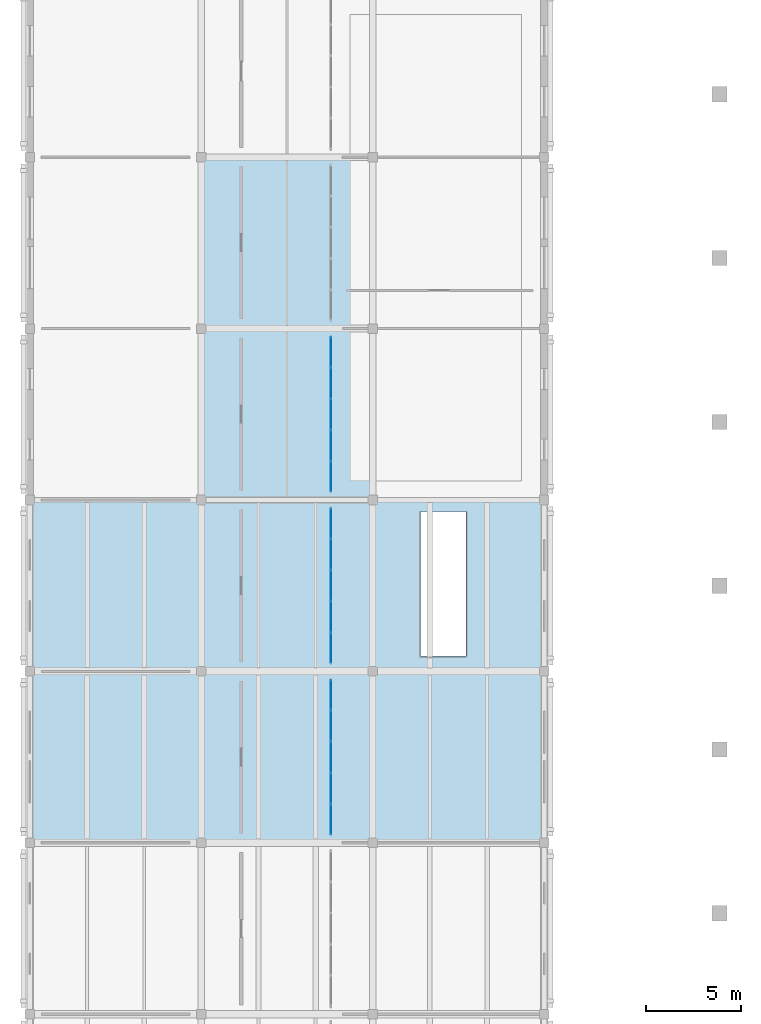
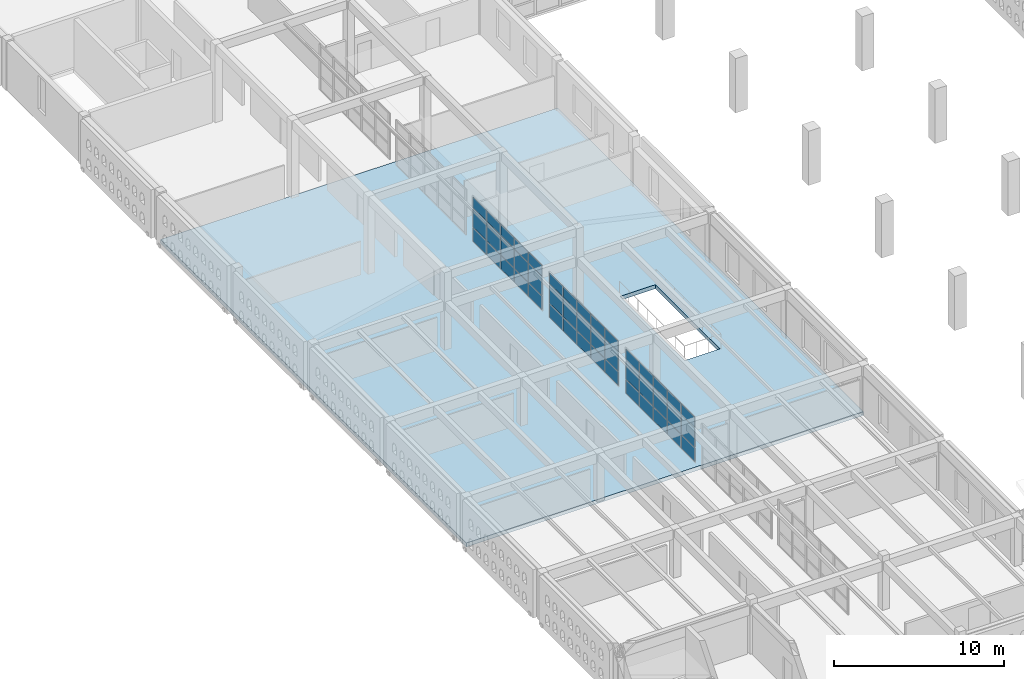
# One storey, part 108 of 156: 45 plates, 1 slab, 3 elements without a shape of their own.
"""IFC4 building model written with IfcOpenShell, lengths in metres."""

from ifc_helpers import new_model, si_unit, direction, frame, origin, origin_2d, place, context, subcontext, project, spatial, polyline, rectangle, outline, extrude, material, layer, layer_set, type_object, element, aggregate, save


model = new_model("IFC4")

# Units and contexts
model_context = context("Model", 3, precision=1e-05, world=origin(), true_north=direction((0.0, 1.0)))
body_context = subcontext(model_context, "Body", "Model", "MODEL_VIEW")
ifc_project = project(units=[si_unit("LENGTHUNIT", "METRE"), si_unit("AREAUNIT", "SQUARE_METRE"), si_unit("VOLUMEUNIT", "CUBIC_METRE"), si_unit("PLANEANGLEUNIT", "RADIAN"), si_unit("MASSUNIT", "GRAM", prefix="KILO")], contexts=[model_context])

# Site, building, storey
site_placement = place(None, origin())
site = spatial("IfcSite", under=ifc_project, at=site_placement, CompositionType="ELEMENT")
building_placement = place(site_placement, origin())
building = spatial("IfcBuilding", under=site, at=building_placement, Name="Ornek Quay Market", CompositionType="ELEMENT")
storey_placement = place(building_placement, frame((0.0, 0.0, 4.5)))
storey = spatial("IfcBuildingStorey", under=building, at=storey_placement, Name="L01", CompositionType="ELEMENT", Elevation=4.5)

# Curtain wall, plates
ifc_material_1 = material(Name="Anodised bronze aluminium and triple low-e glass", Category="aluminium")
ifc_layer_1 = layer(ifc_material_1, 0.179931640625, Name="Anodised bronze aluminium and triple low-e glass", Category="aluminium")
ifc_layer_set_1 = layer_set([ifc_layer_1], Name="Anodised bronze aluminium and triple low-e glass")
curtain_wall_type = type_object("IfcCurtainWallType", Name="CW-CONC-MOD1500", PredefinedType="USERDEFINED", material=ifc_layer_set_1)
curtain_wall_1_placement = place(storey_placement, origin())
curtain_wall_1 = element("IfcCurtainWall", 1, at=curtain_wall_1_placement, inside=storey, type_object=curtain_wall_type, Name="Curtain wall CW-137", ObjectType="CURTAIN WALL", PredefinedType="USERDEFINED")
ifc_material_2 = material(Name="Toughened laminated acoustic glass", Category="glass")
ifc_layer_2 = layer(ifc_material_2, 0.01611328125, Name="Toughened laminated acoustic glass", Category="glass")
ifc_layer_set_2 = layer_set([ifc_layer_2], Name="Toughened laminated acoustic glass")
plate_type = type_object("IfcPlateType", Name="PL-CW-INT-16", PredefinedType="CURTAIN_PANEL", material=ifc_layer_set_2)
plate_1_placement = place(storey_placement, frame((15.800048828125, 48.235107421875, 0.06005859375), z_axis=(0.0, 0.0, 1.0), x_axis=(0.0, 1.0, 0.0)))
plate_1 = element("IfcPlate", 2, at=plate_1_placement, type_object=plate_type, Name="CW-137 panel 1.1", PredefinedType="CURTAIN_PANEL", context=body_context, shape_type="SweptSolid", body=[
    extrude(rectangle(XDim=1.550048828125, YDim=0.01611328125, at=origin_2d()), origin(), (0.0, 0.0, 1.0), 0.9599609375),
])
plate_2_placement = place(storey_placement, frame((15.800048828125, 48.235107421875, 1.080078125), z_axis=(0.0, 0.0, 1.0), x_axis=(0.0, 1.0, 0.0)))
plate_2 = element("IfcPlate", 3, at=plate_2_placement, type_object=plate_type, Name="CW-137 panel 1.2", PredefinedType="CURTAIN_PANEL", context=body_context, shape_type="SweptSolid", body=[
    extrude(rectangle(XDim=1.550048828125, YDim=0.01611328125, at=origin_2d()), origin(), (0.0, 0.0, 1.0), 1.340087890625),
])
plate_3_placement = place(storey_placement, frame((15.800048828125, 48.235107421875, 2.47998046875), z_axis=(0.0, 0.0, 1.0), x_axis=(0.0, 1.0, 0.0)))
plate_3 = element("IfcPlate", 4, at=plate_3_placement, type_object=plate_type, Name="CW-137 panel 1.3", PredefinedType="CURTAIN_PANEL", context=body_context, shape_type="SweptSolid", body=[
    extrude(rectangle(XDim=1.550048828125, YDim=0.01611328125, at=origin_2d()), origin(), (0.0, 0.0, 1.0), 0.760009765625),
])
plate_4_placement = place(storey_placement, frame((15.800048828125, 49.860107421875, 0.06005859375), z_axis=(0.0, 0.0, 1.0), x_axis=(0.0, 1.0, 0.0)))
plate_4 = element("IfcPlate", 5, at=plate_4_placement, type_object=plate_type, Name="CW-137 panel 2.1", PredefinedType="CURTAIN_PANEL", context=body_context, shape_type="SweptSolid", body=[
    extrude(rectangle(XDim=1.580078125, YDim=0.01611328125, at=origin_2d()), origin(), (0.0, 0.0, 1.0), 0.9599609375),
])
plate_5_placement = place(storey_placement, frame((15.800048828125, 49.860107421875, 1.080078125), z_axis=(0.0, 0.0, 1.0), x_axis=(0.0, 1.0, 0.0)))
plate_5 = element("IfcPlate", 6, at=plate_5_placement, type_object=plate_type, Name="CW-137 panel 2.2", PredefinedType="CURTAIN_PANEL", context=body_context, shape_type="SweptSolid", body=[
    extrude(rectangle(XDim=1.580078125, YDim=0.01611328125, at=origin_2d()), origin(), (0.0, 0.0, 1.0), 1.340087890625),
])
plate_6_placement = place(storey_placement, frame((15.800048828125, 49.860107421875, 2.47998046875), z_axis=(0.0, 0.0, 1.0), x_axis=(0.0, 1.0, 0.0)))
plate_6 = element("IfcPlate", 7, at=plate_6_placement, type_object=plate_type, Name="CW-137 panel 2.3", PredefinedType="CURTAIN_PANEL", context=body_context, shape_type="SweptSolid", body=[
    extrude(rectangle(XDim=1.580078125, YDim=0.01611328125, at=origin_2d()), origin(), (0.0, 0.0, 1.0), 0.760009765625),
])
plate_7_placement = place(storey_placement, frame((15.800048828125, 51.5, 0.06005859375), z_axis=(0.0, 0.0, 1.0), x_axis=(0.0, 1.0, 0.0)))
plate_7 = element("IfcPlate", 8, at=plate_7_placement, type_object=plate_type, Name="CW-137 panel 3.1", PredefinedType="CURTAIN_PANEL", context=body_context, shape_type="SweptSolid", body=[
    extrude(rectangle(XDim=1.580078125, YDim=0.01611328125, at=origin_2d()), origin(), (0.0, 0.0, 1.0), 0.9599609375),
])
plate_8_placement = place(storey_placement, frame((15.800048828125, 51.5, 1.080078125), z_axis=(0.0, 0.0, 1.0), x_axis=(0.0, 1.0, 0.0)))
plate_8 = element("IfcPlate", 9, at=plate_8_placement, type_object=plate_type, Name="CW-137 panel 3.2", PredefinedType="CURTAIN_PANEL", context=body_context, shape_type="SweptSolid", body=[
    extrude(rectangle(XDim=1.580078125, YDim=0.01611328125, at=origin_2d()), origin(), (0.0, 0.0, 1.0), 1.340087890625),
])
plate_9_placement = place(storey_placement, frame((15.800048828125, 51.5, 2.47998046875), z_axis=(0.0, 0.0, 1.0), x_axis=(0.0, 1.0, 0.0)))
plate_9 = element("IfcPlate", 10, at=plate_9_placement, type_object=plate_type, Name="CW-137 panel 3.3", PredefinedType="CURTAIN_PANEL", context=body_context, shape_type="SweptSolid", body=[
    extrude(rectangle(XDim=1.580078125, YDim=0.01611328125, at=origin_2d()), origin(), (0.0, 0.0, 1.0), 0.760009765625),
])
plate_10_placement = place(storey_placement, frame((15.800048828125, 53.139892578125, 0.06005859375), z_axis=(0.0, 0.0, 1.0), x_axis=(0.0, 1.0, 0.0)))
plate_10 = element("IfcPlate", 11, at=plate_10_placement, type_object=plate_type, Name="CW-137 panel 4.1", PredefinedType="CURTAIN_PANEL", context=body_context, shape_type="SweptSolid", body=[
    extrude(rectangle(XDim=1.580078125, YDim=0.01611328125, at=origin_2d()), origin(), (0.0, 0.0, 1.0), 0.9599609375),
])
plate_11_placement = place(storey_placement, frame((15.800048828125, 53.139892578125, 1.080078125), z_axis=(0.0, 0.0, 1.0), x_axis=(0.0, 1.0, 0.0)))
plate_11 = element("IfcPlate", 12, at=plate_11_placement, type_object=plate_type, Name="CW-137 panel 4.2", PredefinedType="CURTAIN_PANEL", context=body_context, shape_type="SweptSolid", body=[
    extrude(rectangle(XDim=1.580078125, YDim=0.01611328125, at=origin_2d()), origin(), (0.0, 0.0, 1.0), 1.340087890625),
])
plate_12_placement = place(storey_placement, frame((15.800048828125, 53.139892578125, 2.47998046875), z_axis=(0.0, 0.0, 1.0), x_axis=(0.0, 1.0, 0.0)))
plate_12 = element("IfcPlate", 13, at=plate_12_placement, type_object=plate_type, Name="CW-137 panel 4.3", PredefinedType="CURTAIN_PANEL", context=body_context, shape_type="SweptSolid", body=[
    extrude(rectangle(XDim=1.580078125, YDim=0.01611328125, at=origin_2d()), origin(), (0.0, 0.0, 1.0), 0.760009765625),
])
plate_13_placement = place(storey_placement, frame((15.800048828125, 54.764892578125, 0.06005859375), z_axis=(0.0, 0.0, 1.0), x_axis=(0.0, 1.0, 0.0)))
plate_13 = element("IfcPlate", 14, at=plate_13_placement, type_object=plate_type, Name="CW-137 panel 5.1", PredefinedType="CURTAIN_PANEL", context=body_context, shape_type="SweptSolid", body=[
    extrude(rectangle(XDim=1.550048828125, YDim=0.01611328125, at=origin_2d()), origin(), (0.0, 0.0, 1.0), 0.9599609375),
])
plate_14_placement = place(storey_placement, frame((15.800048828125, 54.764892578125, 1.080078125), z_axis=(0.0, 0.0, 1.0), x_axis=(0.0, 1.0, 0.0)))
plate_14 = element("IfcPlate", 15, at=plate_14_placement, type_object=plate_type, Name="CW-137 panel 5.2", PredefinedType="CURTAIN_PANEL", context=body_context, shape_type="SweptSolid", body=[
    extrude(rectangle(XDim=1.550048828125, YDim=0.01611328125, at=origin_2d()), origin(), (0.0, 0.0, 1.0), 1.340087890625),
])
plate_15_placement = place(storey_placement, frame((15.800048828125, 54.764892578125, 2.47998046875), z_axis=(0.0, 0.0, 1.0), x_axis=(0.0, 1.0, 0.0)))
plate_15 = element("IfcPlate", 16, at=plate_15_placement, type_object=plate_type, Name="CW-137 panel 5.3", PredefinedType="CURTAIN_PANEL", context=body_context, shape_type="SweptSolid", body=[
    extrude(rectangle(XDim=1.550048828125, YDim=0.01611328125, at=origin_2d()), origin(), (0.0, 0.0, 1.0), 0.760009765625),
])
aggregate(curtain_wall_1, [plate_1, plate_2, plate_3, plate_4, plate_5, plate_6, plate_7, plate_8, plate_9, plate_10, plate_11, plate_12, plate_13, plate_14, plate_15])

curtain_wall_2_placement = place(storey_placement, origin())
curtain_wall_2 = element("IfcCurtainWall", 17, at=curtain_wall_2_placement, inside=storey, type_object=curtain_wall_type, Name="Curtain wall CW-139", ObjectType="CURTAIN WALL", PredefinedType="USERDEFINED")
plate_16_placement = place(storey_placement, frame((15.800048828125, 57.235107421875, 0.06005859375), z_axis=(0.0, 0.0, 1.0), x_axis=(0.0, 1.0, 0.0)))
plate_16 = element("IfcPlate", 18, at=plate_16_placement, type_object=plate_type, Name="CW-139 panel 1.1", PredefinedType="CURTAIN_PANEL", context=body_context, shape_type="SweptSolid", body=[
    extrude(rectangle(XDim=1.550048828125, YDim=0.01611328125, at=origin_2d()), origin(), (0.0, 0.0, 1.0), 0.9599609375),
])
plate_17_placement = place(storey_placement, frame((15.800048828125, 57.235107421875, 1.080078125), z_axis=(0.0, 0.0, 1.0), x_axis=(0.0, 1.0, 0.0)))
plate_17 = element("IfcPlate", 19, at=plate_17_placement, type_object=plate_type, Name="CW-139 panel 1.2", PredefinedType="CURTAIN_PANEL", context=body_context, shape_type="SweptSolid", body=[
    extrude(rectangle(XDim=1.550048828125, YDim=0.01611328125, at=origin_2d()), origin(), (0.0, 0.0, 1.0), 1.340087890625),
])
plate_18_placement = place(storey_placement, frame((15.800048828125, 57.235107421875, 2.47998046875), z_axis=(0.0, 0.0, 1.0), x_axis=(0.0, 1.0, 0.0)))
plate_18 = element("IfcPlate", 20, at=plate_18_placement, type_object=plate_type, Name="CW-139 panel 1.3", PredefinedType="CURTAIN_PANEL", context=body_context, shape_type="SweptSolid", body=[
    extrude(rectangle(XDim=1.550048828125, YDim=0.01611328125, at=origin_2d()), origin(), (0.0, 0.0, 1.0), 0.760009765625),
])
plate_19_placement = place(storey_placement, frame((15.800048828125, 58.860107421875, 0.06005859375), z_axis=(0.0, 0.0, 1.0), x_axis=(0.0, 1.0, 0.0)))
plate_19 = element("IfcPlate", 21, at=plate_19_placement, type_object=plate_type, Name="CW-139 panel 2.1", PredefinedType="CURTAIN_PANEL", context=body_context, shape_type="SweptSolid", body=[
    extrude(rectangle(XDim=1.580078125, YDim=0.01611328125, at=origin_2d()), origin(), (0.0, 0.0, 1.0), 0.9599609375),
])
plate_20_placement = place(storey_placement, frame((15.800048828125, 58.860107421875, 1.080078125), z_axis=(0.0, 0.0, 1.0), x_axis=(0.0, 1.0, 0.0)))
plate_20 = element("IfcPlate", 22, at=plate_20_placement, type_object=plate_type, Name="CW-139 panel 2.2", PredefinedType="CURTAIN_PANEL", context=body_context, shape_type="SweptSolid", body=[
    extrude(rectangle(XDim=1.580078125, YDim=0.01611328125, at=origin_2d()), origin(), (0.0, 0.0, 1.0), 1.340087890625),
])
plate_21_placement = place(storey_placement, frame((15.800048828125, 58.860107421875, 2.47998046875), z_axis=(0.0, 0.0, 1.0), x_axis=(0.0, 1.0, 0.0)))
plate_21 = element("IfcPlate", 23, at=plate_21_placement, type_object=plate_type, Name="CW-139 panel 2.3", PredefinedType="CURTAIN_PANEL", context=body_context, shape_type="SweptSolid", body=[
    extrude(rectangle(XDim=1.580078125, YDim=0.01611328125, at=origin_2d()), origin(), (0.0, 0.0, 1.0), 0.760009765625),
])
plate_22_placement = place(storey_placement, frame((15.800048828125, 60.5, 0.06005859375), z_axis=(0.0, 0.0, 1.0), x_axis=(0.0, 1.0, 0.0)))
plate_22 = element("IfcPlate", 24, at=plate_22_placement, type_object=plate_type, Name="CW-139 panel 3.1", PredefinedType="CURTAIN_PANEL", context=body_context, shape_type="SweptSolid", body=[
    extrude(rectangle(XDim=1.580078125, YDim=0.01611328125, at=origin_2d()), origin(), (0.0, 0.0, 1.0), 0.9599609375),
])
plate_23_placement = place(storey_placement, frame((15.800048828125, 60.5, 1.080078125), z_axis=(0.0, 0.0, 1.0), x_axis=(0.0, 1.0, 0.0)))
plate_23 = element("IfcPlate", 25, at=plate_23_placement, type_object=plate_type, Name="CW-139 panel 3.2", PredefinedType="CURTAIN_PANEL", context=body_context, shape_type="SweptSolid", body=[
    extrude(rectangle(XDim=1.580078125, YDim=0.01611328125, at=origin_2d()), origin(), (0.0, 0.0, 1.0), 1.340087890625),
])
plate_24_placement = place(storey_placement, frame((15.800048828125, 60.5, 2.47998046875), z_axis=(0.0, 0.0, 1.0), x_axis=(0.0, 1.0, 0.0)))
plate_24 = element("IfcPlate", 26, at=plate_24_placement, type_object=plate_type, Name="CW-139 panel 3.3", PredefinedType="CURTAIN_PANEL", context=body_context, shape_type="SweptSolid", body=[
    extrude(rectangle(XDim=1.580078125, YDim=0.01611328125, at=origin_2d()), origin(), (0.0, 0.0, 1.0), 0.760009765625),
])
plate_25_placement = place(storey_placement, frame((15.800048828125, 62.139892578125, 0.06005859375), z_axis=(0.0, 0.0, 1.0), x_axis=(0.0, 1.0, 0.0)))
plate_25 = element("IfcPlate", 27, at=plate_25_placement, type_object=plate_type, Name="CW-139 panel 4.1", PredefinedType="CURTAIN_PANEL", context=body_context, shape_type="SweptSolid", body=[
    extrude(rectangle(XDim=1.580078125, YDim=0.01611328125, at=origin_2d()), origin(), (0.0, 0.0, 1.0), 0.9599609375),
])
plate_26_placement = place(storey_placement, frame((15.800048828125, 62.139892578125, 1.080078125), z_axis=(0.0, 0.0, 1.0), x_axis=(0.0, 1.0, 0.0)))
plate_26 = element("IfcPlate", 28, at=plate_26_placement, type_object=plate_type, Name="CW-139 panel 4.2", PredefinedType="CURTAIN_PANEL", context=body_context, shape_type="SweptSolid", body=[
    extrude(rectangle(XDim=1.580078125, YDim=0.01611328125, at=origin_2d()), origin(), (0.0, 0.0, 1.0), 1.340087890625),
])
plate_27_placement = place(storey_placement, frame((15.800048828125, 62.139892578125, 2.47998046875), z_axis=(0.0, 0.0, 1.0), x_axis=(0.0, 1.0, 0.0)))
plate_27 = element("IfcPlate", 29, at=plate_27_placement, type_object=plate_type, Name="CW-139 panel 4.3", PredefinedType="CURTAIN_PANEL", context=body_context, shape_type="SweptSolid", body=[
    extrude(rectangle(XDim=1.580078125, YDim=0.01611328125, at=origin_2d()), origin(), (0.0, 0.0, 1.0), 0.760009765625),
])
plate_28_placement = place(storey_placement, frame((15.800048828125, 63.764892578125, 0.06005859375), z_axis=(0.0, 0.0, 1.0), x_axis=(0.0, 1.0, 0.0)))
plate_28 = element("IfcPlate", 30, at=plate_28_placement, type_object=plate_type, Name="CW-139 panel 5.1", PredefinedType="CURTAIN_PANEL", context=body_context, shape_type="SweptSolid", body=[
    extrude(rectangle(XDim=1.550048828125, YDim=0.01611328125, at=origin_2d()), origin(), (0.0, 0.0, 1.0), 0.9599609375),
])
plate_29_placement = place(storey_placement, frame((15.800048828125, 63.764892578125, 1.080078125), z_axis=(0.0, 0.0, 1.0), x_axis=(0.0, 1.0, 0.0)))
plate_29 = element("IfcPlate", 31, at=plate_29_placement, type_object=plate_type, Name="CW-139 panel 5.2", PredefinedType="CURTAIN_PANEL", context=body_context, shape_type="SweptSolid", body=[
    extrude(rectangle(XDim=1.550048828125, YDim=0.01611328125, at=origin_2d()), origin(), (0.0, 0.0, 1.0), 1.340087890625),
])
plate_30_placement = place(storey_placement, frame((15.800048828125, 63.764892578125, 2.47998046875), z_axis=(0.0, 0.0, 1.0), x_axis=(0.0, 1.0, 0.0)))
plate_30 = element("IfcPlate", 32, at=plate_30_placement, type_object=plate_type, Name="CW-139 panel 5.3", PredefinedType="CURTAIN_PANEL", context=body_context, shape_type="SweptSolid", body=[
    extrude(rectangle(XDim=1.550048828125, YDim=0.01611328125, at=origin_2d()), origin(), (0.0, 0.0, 1.0), 0.760009765625),
])
aggregate(curtain_wall_2, [plate_16, plate_17, plate_18, plate_19, plate_20, plate_21, plate_22, plate_23, plate_24, plate_25, plate_26, plate_27, plate_28, plate_29, plate_30])

curtain_wall_3_placement = place(storey_placement, origin())
curtain_wall_3 = element("IfcCurtainWall", 33, at=curtain_wall_3_placement, inside=storey, type_object=curtain_wall_type, Name="Curtain wall CW-141", ObjectType="CURTAIN WALL", PredefinedType="USERDEFINED")
plate_31_placement = place(storey_placement, frame((15.800048828125, 66.235107421875, 0.06005859375), z_axis=(0.0, 0.0, 1.0), x_axis=(0.0, 1.0, 0.0)))
plate_31 = element("IfcPlate", 34, at=plate_31_placement, type_object=plate_type, Name="CW-141 panel 1.1", PredefinedType="CURTAIN_PANEL", context=body_context, shape_type="SweptSolid", body=[
    extrude(rectangle(XDim=1.550048828125, YDim=0.01611328125, at=origin_2d()), origin(), (0.0, 0.0, 1.0), 0.9599609375),
])
plate_32_placement = place(storey_placement, frame((15.800048828125, 66.235107421875, 1.080078125), z_axis=(0.0, 0.0, 1.0), x_axis=(0.0, 1.0, 0.0)))
plate_32 = element("IfcPlate", 35, at=plate_32_placement, type_object=plate_type, Name="CW-141 panel 1.2", PredefinedType="CURTAIN_PANEL", context=body_context, shape_type="SweptSolid", body=[
    extrude(rectangle(XDim=1.550048828125, YDim=0.01611328125, at=origin_2d()), origin(), (0.0, 0.0, 1.0), 1.340087890625),
])
plate_33_placement = place(storey_placement, frame((15.800048828125, 66.235107421875, 2.47998046875), z_axis=(0.0, 0.0, 1.0), x_axis=(0.0, 1.0, 0.0)))
plate_33 = element("IfcPlate", 36, at=plate_33_placement, type_object=plate_type, Name="CW-141 panel 1.3", PredefinedType="CURTAIN_PANEL", context=body_context, shape_type="SweptSolid", body=[
    extrude(rectangle(XDim=1.550048828125, YDim=0.01611328125, at=origin_2d()), origin(), (0.0, 0.0, 1.0), 0.760009765625),
])
plate_34_placement = place(storey_placement, frame((15.800048828125, 67.860107421875, 0.06005859375), z_axis=(0.0, 0.0, 1.0), x_axis=(0.0, 1.0, 0.0)))
plate_34 = element("IfcPlate", 37, at=plate_34_placement, type_object=plate_type, Name="CW-141 panel 2.1", PredefinedType="CURTAIN_PANEL", context=body_context, shape_type="SweptSolid", body=[
    extrude(rectangle(XDim=1.580078125, YDim=0.01611328125, at=origin_2d()), origin(), (0.0, 0.0, 1.0), 0.9599609375),
])
plate_35_placement = place(storey_placement, frame((15.800048828125, 67.860107421875, 1.080078125), z_axis=(0.0, 0.0, 1.0), x_axis=(0.0, 1.0, 0.0)))
plate_35 = element("IfcPlate", 38, at=plate_35_placement, type_object=plate_type, Name="CW-141 panel 2.2", PredefinedType="CURTAIN_PANEL", context=body_context, shape_type="SweptSolid", body=[
    extrude(rectangle(XDim=1.580078125, YDim=0.01611328125, at=origin_2d()), origin(), (0.0, 0.0, 1.0), 1.340087890625),
])
plate_36_placement = place(storey_placement, frame((15.800048828125, 67.860107421875, 2.47998046875), z_axis=(0.0, 0.0, 1.0), x_axis=(0.0, 1.0, 0.0)))
plate_36 = element("IfcPlate", 39, at=plate_36_placement, type_object=plate_type, Name="CW-141 panel 2.3", PredefinedType="CURTAIN_PANEL", context=body_context, shape_type="SweptSolid", body=[
    extrude(rectangle(XDim=1.580078125, YDim=0.01611328125, at=origin_2d()), origin(), (0.0, 0.0, 1.0), 0.760009765625),
])
plate_37_placement = place(storey_placement, frame((15.800048828125, 69.5, 0.06005859375), z_axis=(0.0, 0.0, 1.0), x_axis=(0.0, 1.0, 0.0)))
plate_37 = element("IfcPlate", 40, at=plate_37_placement, type_object=plate_type, Name="CW-141 panel 3.1", PredefinedType="CURTAIN_PANEL", context=body_context, shape_type="SweptSolid", body=[
    extrude(rectangle(XDim=1.580078125, YDim=0.01611328125, at=origin_2d()), origin(), (0.0, 0.0, 1.0), 0.9599609375),
])
plate_38_placement = place(storey_placement, frame((15.800048828125, 69.5, 1.080078125), z_axis=(0.0, 0.0, 1.0), x_axis=(0.0, 1.0, 0.0)))
plate_38 = element("IfcPlate", 41, at=plate_38_placement, type_object=plate_type, Name="CW-141 panel 3.2", PredefinedType="CURTAIN_PANEL", context=body_context, shape_type="SweptSolid", body=[
    extrude(rectangle(XDim=1.580078125, YDim=0.01611328125, at=origin_2d()), origin(), (0.0, 0.0, 1.0), 1.340087890625),
])
plate_39_placement = place(storey_placement, frame((15.800048828125, 69.5, 2.47998046875), z_axis=(0.0, 0.0, 1.0), x_axis=(0.0, 1.0, 0.0)))
plate_39 = element("IfcPlate", 42, at=plate_39_placement, type_object=plate_type, Name="CW-141 panel 3.3", PredefinedType="CURTAIN_PANEL", context=body_context, shape_type="SweptSolid", body=[
    extrude(rectangle(XDim=1.580078125, YDim=0.01611328125, at=origin_2d()), origin(), (0.0, 0.0, 1.0), 0.760009765625),
])
plate_40_placement = place(storey_placement, frame((15.800048828125, 71.139892578125, 0.06005859375), z_axis=(0.0, 0.0, 1.0), x_axis=(0.0, 1.0, 0.0)))
plate_40 = element("IfcPlate", 43, at=plate_40_placement, type_object=plate_type, Name="CW-141 panel 4.1", PredefinedType="CURTAIN_PANEL", context=body_context, shape_type="SweptSolid", body=[
    extrude(rectangle(XDim=1.580078125, YDim=0.01611328125, at=origin_2d()), origin(), (0.0, 0.0, 1.0), 0.9599609375),
])
plate_41_placement = place(storey_placement, frame((15.800048828125, 71.139892578125, 1.080078125), z_axis=(0.0, 0.0, 1.0), x_axis=(0.0, 1.0, 0.0)))
plate_41 = element("IfcPlate", 44, at=plate_41_placement, type_object=plate_type, Name="CW-141 panel 4.2", PredefinedType="CURTAIN_PANEL", context=body_context, shape_type="SweptSolid", body=[
    extrude(rectangle(XDim=1.580078125, YDim=0.01611328125, at=origin_2d()), origin(), (0.0, 0.0, 1.0), 1.340087890625),
])
plate_42_placement = place(storey_placement, frame((15.800048828125, 71.139892578125, 2.47998046875), z_axis=(0.0, 0.0, 1.0), x_axis=(0.0, 1.0, 0.0)))
plate_42 = element("IfcPlate", 45, at=plate_42_placement, type_object=plate_type, Name="CW-141 panel 4.3", PredefinedType="CURTAIN_PANEL", context=body_context, shape_type="SweptSolid", body=[
    extrude(rectangle(XDim=1.580078125, YDim=0.01611328125, at=origin_2d()), origin(), (0.0, 0.0, 1.0), 0.760009765625),
])
plate_43_placement = place(storey_placement, frame((15.800048828125, 72.764892578125, 0.06005859375), z_axis=(0.0, 0.0, 1.0), x_axis=(0.0, 1.0, 0.0)))
plate_43 = element("IfcPlate", 46, at=plate_43_placement, type_object=plate_type, Name="CW-141 panel 5.1", PredefinedType="CURTAIN_PANEL", context=body_context, shape_type="SweptSolid", body=[
    extrude(rectangle(XDim=1.550048828125, YDim=0.01611328125, at=origin_2d()), origin(), (0.0, 0.0, 1.0), 0.9599609375),
])
plate_44_placement = place(storey_placement, frame((15.800048828125, 72.764892578125, 1.080078125), z_axis=(0.0, 0.0, 1.0), x_axis=(0.0, 1.0, 0.0)))
plate_44 = element("IfcPlate", 47, at=plate_44_placement, type_object=plate_type, Name="CW-141 panel 5.2", PredefinedType="CURTAIN_PANEL", context=body_context, shape_type="SweptSolid", body=[
    extrude(rectangle(XDim=1.550048828125, YDim=0.01611328125, at=origin_2d()), origin(), (0.0, 0.0, 1.0), 1.340087890625),
])
plate_45_placement = place(storey_placement, frame((15.800048828125, 72.764892578125, 2.47998046875), z_axis=(0.0, 0.0, 1.0), x_axis=(0.0, 1.0, 0.0)))
plate_45 = element("IfcPlate", 48, at=plate_45_placement, type_object=plate_type, Name="CW-141 panel 5.3", PredefinedType="CURTAIN_PANEL", context=body_context, shape_type="SweptSolid", body=[
    extrude(rectangle(XDim=1.550048828125, YDim=0.01611328125, at=origin_2d()), origin(), (0.0, 0.0, 1.0), 0.760009765625),
])
aggregate(curtain_wall_3, [plate_31, plate_32, plate_33, plate_34, plate_35, plate_36, plate_37, plate_38, plate_39, plate_40, plate_41, plate_42, plate_43, plate_44, plate_45])

# Slab
ifc_material_3 = material(Name="Concrete C35/45", Category="concrete")
ifc_layer_3 = layer(ifc_material_3, 0.280029296875, Name="Concrete C35/45", Category="concrete")
ifc_layer_set_3 = layer_set([ifc_layer_3], Name="Concrete C35/45")
slab_type = type_object("IfcSlabType", Name="SL-FLR-WING-280", PredefinedType="FLOOR", material=ifc_layer_set_3)
slab_placement = place(storey_placement, frame((0.0, 0.0, -0.280029296875)))
element("IfcSlab", 49, at=slab_placement, inside=storey, type_object=slab_type, Name="Slab S-024 (L01)", PredefinedType="FLOOR", context=body_context, shape_type="SweptSolid", body=[
    extrude(outline(polyline([(0.0, 47.0), (27.0, 47.0), (27.0, 83.0), (0.0, 83.0), (0.0, 47.0)]), holes=[polyline([(20.5, 64.39990234375), (22.89990234375, 64.39990234375), (22.89990234375, 56.800048828125), (20.5, 56.800048828125), (20.5, 64.39990234375)])]), origin(), (0.0, 0.0, 1.0), 0.280029296875),
])

save(model, "model.ifc")
